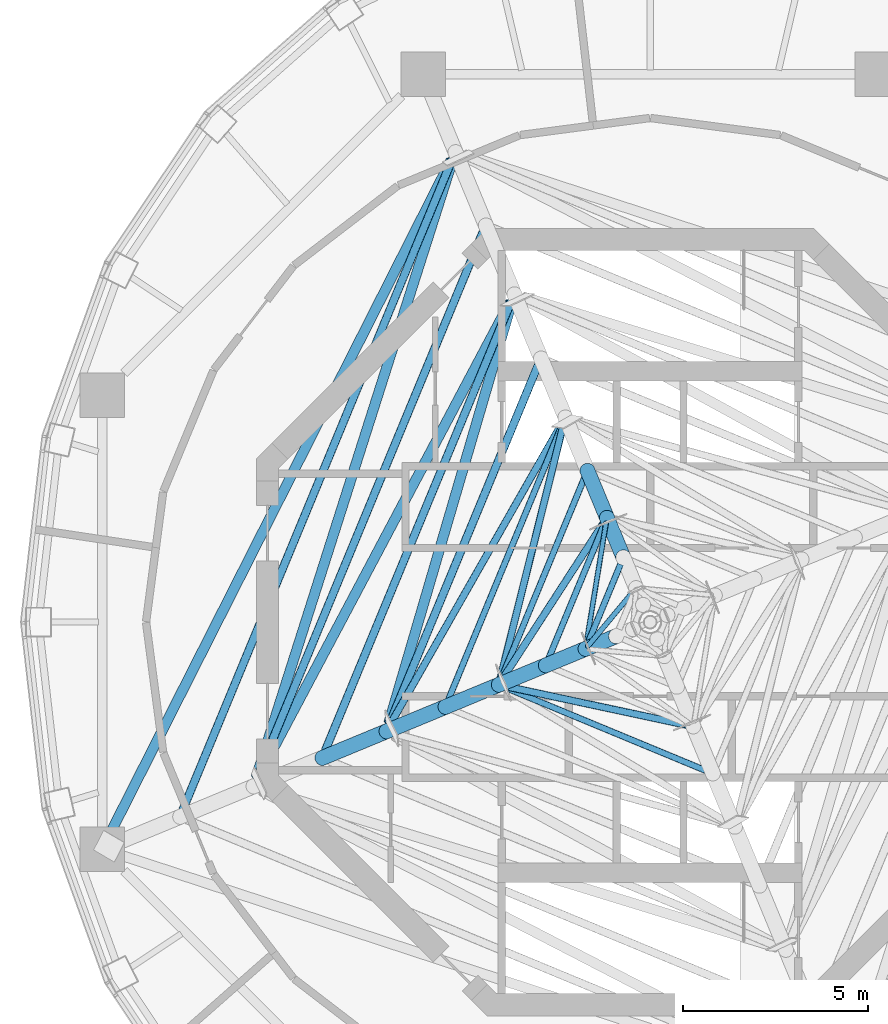
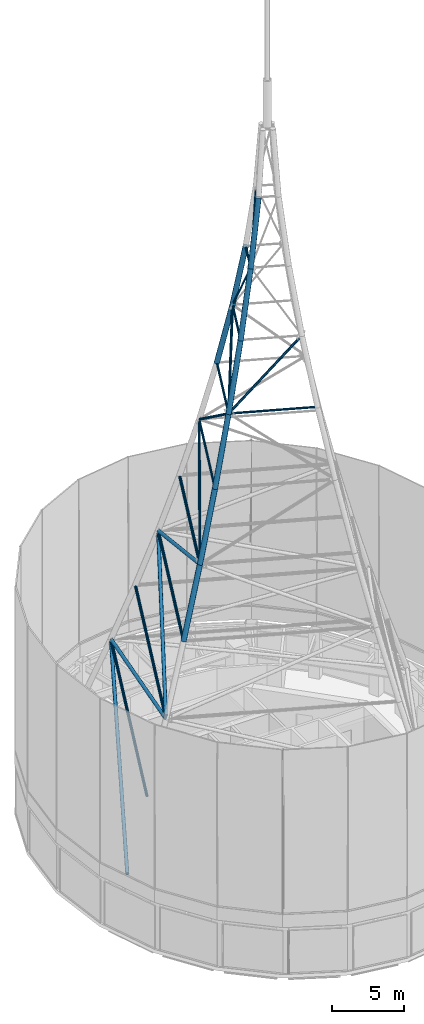
# One storey, part 10 of 25: 27 members.
"""IFC4 building model written with IfcOpenShell, lengths in metres."""

from ifc_helpers import new_model, si_unit, direction, frame, origin, origin_2d, place, context, subcontext, project, spatial, hollow_circle, extrude, material, material_profile, profile_set, type_object, element, save


model = new_model("IFC4")

# Units and contexts
model_context = context("Model", 3, precision=1e-05, world=origin(), true_north=direction((0.0, 1.0)))
body_context = subcontext(model_context, "Body", "Model", "MODEL_VIEW")
ifc_project = project(units=[si_unit("LENGTHUNIT", "METRE"), si_unit("AREAUNIT", "SQUARE_METRE"), si_unit("VOLUMEUNIT", "CUBIC_METRE"), si_unit("PLANEANGLEUNIT", "RADIAN"), si_unit("MASSUNIT", "GRAM", prefix="KILO")], contexts=[model_context])

# Site, building, storey
site_placement = place(None, origin())
site = spatial("IfcSite", under=ifc_project, at=site_placement, CompositionType="ELEMENT")
building_placement = place(site_placement, origin())
building = spatial("IfcBuilding", under=site, at=building_placement, Name="Nagisa Residences", CompositionType="ELEMENT")
storey_placement = place(building_placement, frame((0.0, 0.0, 340.89990234375)))
storey = spatial("IfcBuildingStorey", under=building, at=storey_placement, Name="L84", CompositionType="ELEMENT", Elevation=340.89990234375)

# Members
ifc_material_1 = material(Name="Steel ASTM A572 Gr 50", Category="steel")
ifc_material_profile_1 = material_profile(ifc_material_1, hollow_circle(Radius=0.06982421875, WallThickness=0.0048828125, at=origin_2d()), Name="MAST BRACE CHS 139.7x5")
ifc_profile_set_1 = profile_set([ifc_material_profile_1], Name="Steel ASTM A572 Gr 50")
member_type_1 = type_object("IfcMemberType", Name="MAST BRACE CHS 139.7x5", PredefinedType="BRACE", material=ifc_profile_set_1)
member_1_placement = place(storey_placement, frame((-1.191162109375, 2.66943359375, 42.72998046875), z_axis=(-0.088079959785, -0.53914997033, 0.83759132647), x_axis=(0.986916727175, -0.161230808541, 0.0)))
element("IfcMember", 1, at=member_1_placement, inside=storey, type_object=member_type_1, Name="Mast brace 8.2", PredefinedType="BRACE", context=body_context, shape_type="SweptSolid", body=[
    extrude(hollow_circle(Radius=0.06982421875, WallThickness=0.0048828125, at=origin_2d()), origin(), (0.0, 0.0, 1.0), 6.017578125),
])
member_2_placement = place(storey_placement, frame((-1.681884765625, -0.646728515625, 48.255859375), z_axis=(0.231412076, 0.27808686972, 0.932263988348), x_axis=(-0.768665595025, 0.639650844621, 0.0)))
element("IfcMember", 2, at=member_2_placement, inside=storey, type_object=member_type_1, Name="Mast brace 9.2", PredefinedType="BRACE", context=body_context, shape_type="SweptSolid", body=[
    extrude(hollow_circle(Radius=0.06982421875, WallThickness=0.0048828125, at=origin_2d()), origin(), (0.0, 0.0, 1.0), 5.35107421875),
])
ifc_material_2 = material(Name="Steel ASTM A572 Gr 50", Category="steel")
ifc_material_profile_2 = material_profile(ifc_material_2, hollow_circle(Radius=0.096923828125, WallThickness=0.008056640625, at=origin_2d()), Name="MAST BRACE CHS 193.7x8")
ifc_profile_set_2 = profile_set([ifc_material_profile_2], Name="Steel ASTM A572 Gr 50")
member_type_2 = type_object("IfcMemberType", Name="MAST BRACE CHS 193.7x8", PredefinedType="BRACE", material=ifc_profile_set_2)
member_3_placement = place(storey_placement, frame((-7.00048828125, -2.7412109375, 26.134765625), z_axis=(0.431263802223, 0.75683907636, 0.491127422759), x_axis=(-0.868843676353, 0.495086523813, 0.0)))
element("IfcMember", 3, at=member_3_placement, inside=storey, type_object=member_type_2, Name="Mast brace 5.2", PredefinedType="BRACE", context=body_context, shape_type="SweptSolid", body=[
    extrude(hollow_circle(Radius=0.096923828125, WallThickness=0.008056640625, at=origin_2d()), origin(), (0.0, 0.0, 1.0), 10.72998046875),
])
member_4_placement = place(storey_placement, frame((-2.342529296875, 5.3125, 31.6630859375), z_axis=(-0.194282795842, -0.780300971982, 0.594461595364), x_axis=(0.970373934134, -0.241608004738, 0.0)))
element("IfcMember", 4, at=member_4_placement, inside=storey, type_object=member_type_2, Name="Mast brace 6.2", PredefinedType="BRACE", context=body_context, shape_type="SweptSolid", body=[
    extrude(hollow_circle(Radius=0.096923828125, WallThickness=0.008056640625, at=origin_2d()), origin(), (0.0, 0.0, 1.0), 8.703369140625),
])
member_5_placement = place(storey_placement, frame((-3.982666015625, -1.531982421875, 37.1962890625), z_axis=(0.379737291181, 0.5865994028, 0.715332601188), x_axis=(-0.839457240093, 0.543425746589, 0.0)))
element("IfcMember", 5, at=member_5_placement, inside=storey, type_object=member_type_2, Name="Mast brace 7.2", PredefinedType="BRACE", context=body_context, shape_type="SweptSolid", body=[
    extrude(hollow_circle(Radius=0.096923828125, WallThickness=0.008056640625, at=origin_2d()), origin(), (0.0, 0.0, 1.0), 7.140380859375),
])
member_6_placement = place(storey_placement, frame((-3.8994140625, -1.73291015625, 37.1962890625), z_axis=(0.68330204208, -0.146241134606, 0.715340373416), x_axis=(0.209281796845, 0.977855372491, 0.0)))
element("IfcMember", 6, at=member_6_placement, inside=storey, type_object=member_type_2, Name="Mast brace 7.3", PredefinedType="BRACE", context=body_context, shape_type="SweptSolid", body=[
    extrude(hollow_circle(Radius=0.096923828125, WallThickness=0.008056640625, at=origin_2d()), origin(), (0.0, 0.0, 1.0), 7.14013671875),
])
ifc_material_3 = material(Name="Steel ASTM A572 Gr 50", Category="steel")
ifc_material_profile_3 = material_profile(ifc_material_3, hollow_circle(Radius=0.136474609375, WallThickness=0.010009765625, at=origin_2d()), Name="MAST BRACE CHS 273x10")
ifc_profile_set_3 = profile_set([ifc_material_profile_3], Name="Steel ASTM A572 Gr 50")
member_type_3 = type_object("IfcMemberType", Name="MAST BRACE CHS 273x10", PredefinedType="BRACE", material=ifc_profile_set_3)
member_7_placement = place(storey_placement, frame((-14.662109375, -5.88623046875, 4.0693359375), z_axis=(0.437129394853, 0.863260450478, 0.252387176369), x_axis=(-0.892142373885, 0.451754341118, 0.0)))
element("IfcMember", 7, at=member_7_placement, inside=storey, type_object=member_type_3, Name="Mast brace 1.2", PredefinedType="BRACE", context=body_context, shape_type="SweptSolid", body=[
    extrude(hollow_circle(Radius=0.136474609375, WallThickness=0.010009765625, at=origin_2d()), origin(), (0.0, 0.0, 1.0), 21.243408203125),
])
member_8_placement = place(storey_placement, frame((-5.335693359375, 12.439208984375, 9.580322265625), z_axis=(-0.290146585165, -0.911141895781, 0.292635276189), x_axis=(0.952853900087, -0.303429473007, 0.0)))
element("IfcMember", 8, at=member_8_placement, inside=storey, type_object=member_type_3, Name="Mast brace 2.2", PredefinedType="BRACE", context=body_context, shape_type="SweptSolid", body=[
    extrude(hollow_circle(Radius=0.136474609375, WallThickness=0.010009765625, at=origin_2d()), origin(), (0.0, 0.0, 1.0), 18.24658203125),
])
member_9_placement = place(storey_placement, frame((-10.588623046875, -4.208251953125, 15.09423828125), z_axis=(0.439902935363, 0.829755899255, 0.343497532903), x_axis=(-0.883514600633, 0.468403619188, 0.0)))
element("IfcMember", 9, at=member_9_placement, inside=storey, type_object=member_type_3, Name="Mast brace 3.2", PredefinedType="BRACE", context=body_context, shape_type="SweptSolid", body=[
    extrude(hollow_circle(Radius=0.136474609375, WallThickness=0.010009765625, at=origin_2d()), origin(), (0.0, 0.0, 1.0), 15.463134765625),
])
member_10_placement = place(storey_placement, frame((-3.736083984375, 8.609619140625, 20.612060546875), z_axis=(-0.256398149519, -0.876058506307, 0.408388886296), x_axis=(0.959740129464, -0.280889451381, 0.0)))
element("IfcMember", 10, at=member_10_placement, inside=storey, type_object=member_type_3, Name="Mast brace 4.2", PredefinedType="BRACE", context=body_context, shape_type="SweptSolid", body=[
    extrude(hollow_circle(Radius=0.136474609375, WallThickness=0.010009765625, at=origin_2d()), origin(), (0.0, 0.0, 1.0), 12.91943359375),
])
ifc_material_4 = material(Name="Steel ASTM A572 Gr 50", Category="steel")
ifc_material_profile_4 = material_profile(ifc_material_4, hollow_circle(Radius=0.203125, WallThickness=0.01611328125, at=origin_2d()), Name="MAST LEG CHS 406.4x16")
ifc_profile_set_4 = profile_set([ifc_material_profile_4], Name="Steel ASTM A572 Gr 50")
member_type_4 = type_object("IfcMemberType", Name="MAST LEG CHS 406.4x16", PredefinedType="CHORD", material=ifc_profile_set_4)
member_11_placement = place(storey_placement, frame((-1.69287109375, 4.086669921875, 37.0), z_axis=(0.092763851309, -0.223899379273, 0.970187577663), x_axis=(0.923847884847, 0.382759827652, 0.0)))
element("IfcMember", 11, at=member_11_placement, inside=storey, type_object=member_type_4, Name="Mast leg 2 segment 7", PredefinedType="CHORD", context=body_context, shape_type="SweptSolid", body=[
    extrude(hollow_circle(Radius=0.203125, WallThickness=0.01611328125, at=origin_2d()), origin(), (0.0, 0.0, 1.0), 5.6689453125),
])
member_12_placement = place(storey_placement, frame((-1.1669921875, 2.8173828125, 42.5), z_axis=(0.079004826277, -0.190714784047, 0.978461092007), x_axis=(0.923865528611, 0.382717239022, 0.0)))
element("IfcMember", 12, at=member_12_placement, inside=storey, type_object=member_type_4, Name="Mast leg 2 segment 8", PredefinedType="CHORD", context=body_context, shape_type="SweptSolid", body=[
    extrude(hollow_circle(Radius=0.203125, WallThickness=0.01611328125, at=origin_2d()), origin(), (0.0, 0.0, 1.0), 5.62109375),
])
member_13_placement = place(storey_placement, frame((-8.849853515625, -3.665771484375, 20.5), z_axis=(0.297908402257, 0.123407190046, 0.94658398957), x_axis=(-0.382708551152, 0.923869127569, 0.0)))
element("IfcMember", 13, at=member_13_placement, inside=storey, type_object=member_type_4, Name="Mast leg 3 segment 4", PredefinedType="CHORD", context=body_context, shape_type="SweptSolid", body=[
    extrude(hollow_circle(Radius=0.203125, WallThickness=0.01611328125, at=origin_2d()), origin(), (0.0, 0.0, 1.0), 5.810302734375),
])
member_14_placement = place(storey_placement, frame((-7.118896484375, -2.94873046875, 26.0), z_axis=(0.276261043536, 0.114409855656, 0.954248511004), x_axis=(-0.382622871245, 0.923904615423, 0.0)))
element("IfcMember", 14, at=member_14_placement, inside=storey, type_object=member_type_4, Name="Mast leg 3 segment 5", PredefinedType="CHORD", context=body_context, shape_type="SweptSolid", body=[
    extrude(hollow_circle(Radius=0.203125, WallThickness=0.01611328125, at=origin_2d()), origin(), (0.0, 0.0, 1.0), 5.763671875),
])
member_15_placement = place(storey_placement, frame((-5.526611328125, -2.289306640625, 31.5), z_axis=(0.251889076375, 0.10433452248, 0.962115481957), x_axis=(-0.382679208557, 0.923881282059, 0.0)))
element("IfcMember", 15, at=member_15_placement, inside=storey, type_object=member_type_4, Name="Mast leg 3 segment 6", PredefinedType="CHORD", context=body_context, shape_type="SweptSolid", body=[
    extrude(hollow_circle(Radius=0.203125, WallThickness=0.01611328125, at=origin_2d()), origin(), (0.0, 0.0, 1.0), 5.716552734375),
])
member_16_placement = place(storey_placement, frame((-4.086669921875, -1.69287109375, 37.0), z_axis=(0.223899379273, 0.092763851309, 0.970187577663), x_axis=(-0.382759827652, 0.923847884847, 0.0)))
element("IfcMember", 16, at=member_16_placement, inside=storey, type_object=member_type_4, Name="Mast leg 3 segment 7", PredefinedType="CHORD", context=body_context, shape_type="SweptSolid", body=[
    extrude(hollow_circle(Radius=0.203125, WallThickness=0.01611328125, at=origin_2d()), origin(), (0.0, 0.0, 1.0), 5.6689453125),
])
member_17_placement = place(storey_placement, frame((-2.8173828125, -1.1669921875, 42.5), z_axis=(0.190714784047, 0.079004826277, 0.978461092007), x_axis=(-0.382717239022, 0.923865528611, 0.0)))
element("IfcMember", 17, at=member_17_placement, inside=storey, type_object=member_type_4, Name="Mast leg 3 segment 8", PredefinedType="CHORD", context=body_context, shape_type="SweptSolid", body=[
    extrude(hollow_circle(Radius=0.203125, WallThickness=0.01611328125, at=origin_2d()), origin(), (0.0, 0.0, 1.0), 5.62109375),
])
member_18_placement = place(storey_placement, frame((-1.745361328125, -0.722900390625, 48.0), z_axis=(0.148565133269, 0.061511485435, 0.986987709314), x_axis=(-0.382544309655, 0.923937146753, 0.0)))
element("IfcMember", 18, at=member_18_placement, inside=storey, type_object=member_type_4, Name="Mast leg 3 segment 9", PredefinedType="CHORD", context=body_context, shape_type="SweptSolid", body=[
    extrude(hollow_circle(Radius=0.203125, WallThickness=0.01611328125, at=origin_2d()), origin(), (0.0, 0.0, 1.0), 5.572509765625),
])
ifc_material_5 = material(Name="Steel ASTM A572 Gr 50", Category="steel")
ifc_material_profile_5 = material_profile(ifc_material_5, hollow_circle(Radius=0.084228515625, WallThickness=0.00634765625, at=origin_2d()), Name="MAST RING CHS 168.3x6.3")
ifc_profile_set_5 = profile_set([ifc_material_profile_5], Name="Steel ASTM A572 Gr 50")
member_type_5 = type_object("IfcMemberType", Name="MAST RING CHS 168.3x6.3", PredefinedType="STRUT", material=ifc_profile_set_5)
member_19_placement = place(storey_placement, frame((-2.366943359375, 5.3388671875, 31.5), z_axis=(-0.382694493346, -0.923874950825, 0.0), x_axis=(0.923874950825, -0.382694493346, 0.0)))
element("IfcMember", 19, at=member_19_placement, inside=storey, type_object=member_type_5, Name="Mast ring 5 side 2", PredefinedType="STRUT", context=body_context, shape_type="SweptSolid", body=[
    extrude(hollow_circle(Radius=0.084228515625, WallThickness=0.00634765625, at=origin_2d()), origin(), (0.0, 0.0, 1.0), 8.053466796875),
])
for number, where, z_axis, x_axis, name in (
    (20, (-1.7705078125, 3.89892578125, 37.0), (-0.382697069744, -0.923873883606, 0.0), (0.923873883606, -0.382697069744, 0.0), "Mast ring 6 side 2"),
    (21, (-3.89892578125, -1.7705078125, 37.0), (0.923873883606, -0.382697069744, 0.0), (0.382697069744, 0.923873883606, 0.0), "Mast ring 6 side 3"),
):
    element("IfcMember", number, at=place(storey_placement, frame(where, z_axis=z_axis, x_axis=x_axis)), inside=storey, type_object=member_type_5, Name=name, PredefinedType="STRUT", context=body_context, shape_type="SweptSolid", body=[
        extrude(hollow_circle(Radius=0.084228515625, WallThickness=0.00634765625, at=origin_2d()), origin(), (0.0, 0.0, 1.0), 5.849365234375),
    ])
member_20_placement = place(storey_placement, frame((-1.24462890625, 2.629638671875, 42.5), z_axis=(-0.382688506801, -0.923877430595, 0.0), x_axis=(0.923877430595, -0.382688506801, 0.0)))
element("IfcMember", 22, at=member_20_placement, inside=storey, type_object=member_type_5, Name="Mast ring 7 side 2", PredefinedType="STRUT", context=body_context, shape_type="SweptSolid", body=[
    extrude(hollow_circle(Radius=0.084228515625, WallThickness=0.00634765625, at=origin_2d()), origin(), (0.0, 0.0, 1.0), 3.90625),
])
member_21_placement = place(storey_placement, frame((-0.80078125, 1.5576171875, 48.0), z_axis=(-0.382624676871, -0.923903867645, 0.0), x_axis=(0.923903867645, -0.382624676871, 0.0)))
element("IfcMember", 23, at=member_21_placement, inside=storey, type_object=member_type_5, Name="Mast ring 8 side 2", PredefinedType="STRUT", context=body_context, shape_type="SweptSolid", body=[
    extrude(hollow_circle(Radius=0.084228515625, WallThickness=0.00634765625, at=origin_2d()), origin(), (0.0, 0.0, 1.0), 2.26513671875),
])
ifc_material_6 = material(Name="Steel ASTM A572 Gr 50", Category="steel")
ifc_material_profile_6 = material_profile(ifc_material_6, hollow_circle(Radius=0.109619140625, WallThickness=0.008056640625, at=origin_2d()), Name="MAST RING CHS 219.1x8")
ifc_profile_set_6 = profile_set([ifc_material_profile_6], Name="Steel ASTM A572 Gr 50")
member_type_6 = type_object("IfcMemberType", Name="MAST RING CHS 219.1x8", PredefinedType="STRUT", material=ifc_profile_set_6)
member_22_placement = place(storey_placement, frame((-5.333740234375, 12.50146484375, 9.5), z_axis=(-0.38268021924, -0.923880863425, 0.0), x_axis=(0.923880863425, -0.38268021924, 0.0)))
element("IfcMember", 24, at=member_22_placement, inside=storey, type_object=member_type_6, Name="Mast ring 1 side 2", PredefinedType="STRUT", context=body_context, shape_type="SweptSolid", body=[
    extrude(hollow_circle(Radius=0.109619140625, WallThickness=0.008056640625, at=origin_2d()), origin(), (0.0, 0.0, 1.0), 19.017333984375),
])
member_23_placement = place(storey_placement, frame((-4.513671875, 10.521728515625, 15.0), z_axis=(-0.382682231904, -0.923880029758, 0.0), x_axis=(0.923880029758, -0.382682231904, 0.0)))
element("IfcMember", 25, at=member_23_placement, inside=storey, type_object=member_type_6, Name="Mast ring 2 side 2", PredefinedType="STRUT", context=body_context, shape_type="SweptSolid", body=[
    extrude(hollow_circle(Radius=0.109619140625, WallThickness=0.008056640625, at=origin_2d()), origin(), (0.0, 0.0, 1.0), 15.987060546875),
])
member_24_placement = place(storey_placement, frame((-3.743408203125, 8.662109375, 20.5), z_axis=(-0.382680520695, -0.923880738559, 0.0), x_axis=(0.923880738559, -0.382680520695, 0.0)))
element("IfcMember", 26, at=member_24_placement, inside=storey, type_object=member_type_6, Name="Mast ring 3 side 2", PredefinedType="STRUT", context=body_context, shape_type="SweptSolid", body=[
    extrude(hollow_circle(Radius=0.109619140625, WallThickness=0.008056640625, at=origin_2d()), origin(), (0.0, 0.0, 1.0), 13.140380859375),
])
member_25_placement = place(storey_placement, frame((-3.0263671875, 6.93115234375, 26.0), z_axis=(-0.382686129639, -0.923878415259, 0.0), x_axis=(0.923878415259, -0.382686129639, 0.0)))
element("IfcMember", 27, at=member_25_placement, inside=storey, type_object=member_type_6, Name="Mast ring 4 side 2", PredefinedType="STRUT", context=body_context, shape_type="SweptSolid", body=[
    extrude(hollow_circle(Radius=0.109619140625, WallThickness=0.008056640625, at=origin_2d()), origin(), (0.0, 0.0, 1.0), 10.49072265625),
])

save(model, "model.ifc")
